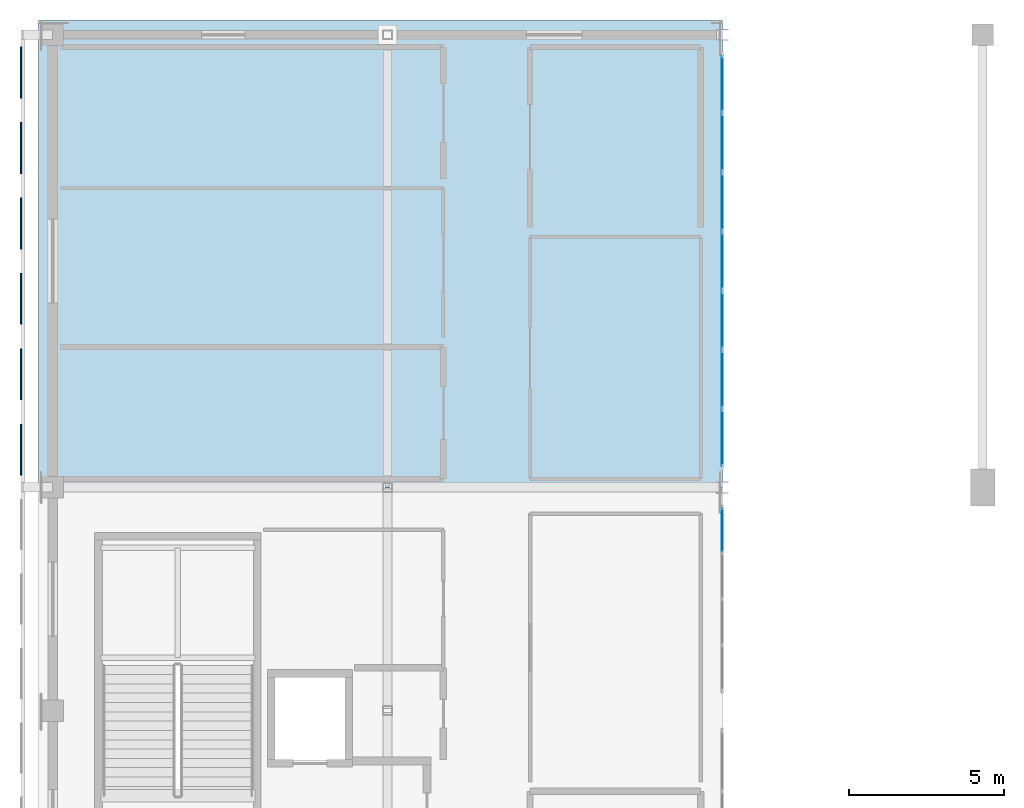
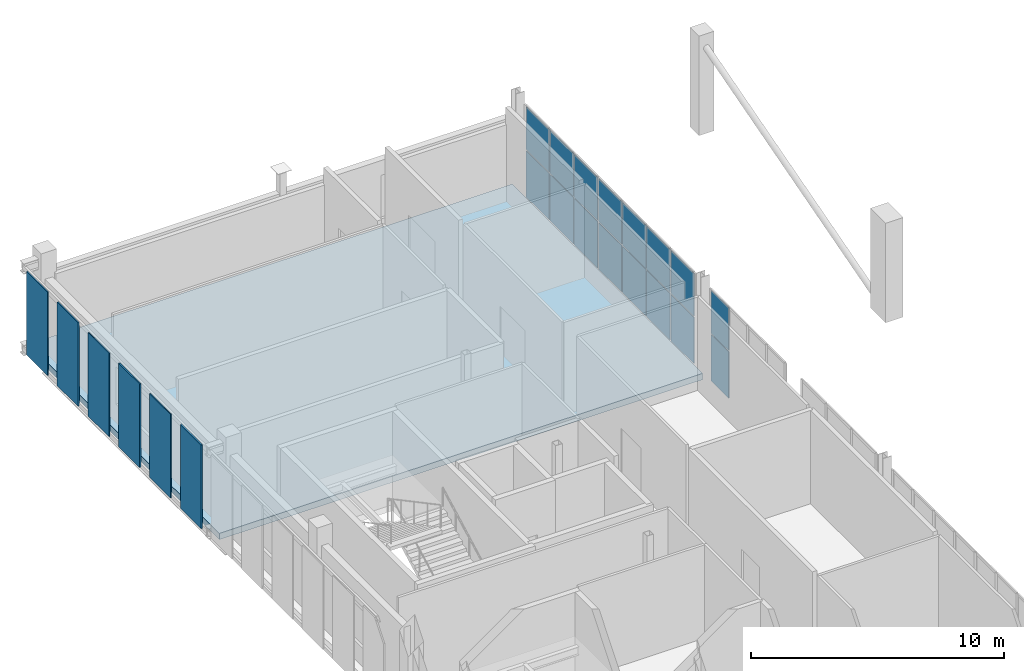
# One storey, part 27 of 51: 22 plates, 1 slab, 2 elements without a shape of their own.
"""IFC4 building model written with IfcOpenShell, lengths in metres."""

from ifc_helpers import new_model, si_unit, direction, frame, origin, origin_2d, place, context, subcontext, project, spatial, polyline, rectangle, outline, extrude, material, layer, layer_set, type_object, element, aggregate, save


model = new_model("IFC4")

# Units and contexts
model_context = context("Model", 3, precision=1e-05, world=origin(), true_north=direction((0.0, 1.0)))
body_context = subcontext(model_context, "Body", "Model", "MODEL_VIEW")
ifc_project = project(units=[si_unit("LENGTHUNIT", "METRE"), si_unit("AREAUNIT", "SQUARE_METRE"), si_unit("VOLUMEUNIT", "CUBIC_METRE"), si_unit("PLANEANGLEUNIT", "RADIAN"), si_unit("MASSUNIT", "GRAM", prefix="KILO")], contexts=[model_context])

# Site, building, storey
site_placement = place(None, origin())
site = spatial("IfcSite", under=ifc_project, at=site_placement, CompositionType="ELEMENT")
building_placement = place(site_placement, origin())
building = spatial("IfcBuilding", under=site, at=building_placement, Name="Koshinbarg Plaza Stadium", CompositionType="ELEMENT")
storey_placement = place(building_placement, frame((0.0, 0.0, 24.60009765625)))
storey = spatial("IfcBuildingStorey", under=building, at=storey_placement, Name="L05", CompositionType="ELEMENT", Elevation=24.60009765625)

# Curtain wall, plates
ifc_material_1 = material(Name="Thermally broken anodised aluminium and low-E double glazing", Category="aluminium")
curtain_wall_type_1 = type_object("IfcCurtainWallType", Name="CW-SYS-05", PredefinedType="NOTDEFINED", material=ifc_material_1)
curtain_wall_1_placement = place(storey_placement, origin())
curtain_wall_1 = element("IfcCurtainWall", 1, at=curtain_wall_1_placement, inside=storey, type_object=curtain_wall_type_1, Name="L05 unitised curtain wall CW-L05-132", PredefinedType="NOTDEFINED")
ifc_material_2 = material(Name="Solar-control low-E double glazing unit", Category="glass")
ifc_layer_1 = layer(ifc_material_2, 0.028076171875)
ifc_layer_set_1 = layer_set([ifc_layer_1], Name="Solar-control low-E double glazing unit")
plate_type_1 = type_object("IfcPlateType", Name="CW-PNL-28", PredefinedType="CURTAIN_PANEL", material=ifc_layer_set_1)
plate_1_placement = place(storey_placement, frame((46.199951171875, 110.52001953125, 0.06005859375), z_axis=(0.0, 0.0, 1.0), x_axis=(0.0, -1.0, 0.0)))
plate_1 = element("IfcPlate", 2, at=plate_1_placement, type_object=plate_type_1, Name="CW05 panel 1.1", PredefinedType="CURTAIN_PANEL", context=body_context, shape_type="SweptSolid", body=[
    extrude(rectangle(XDim=1.39990234375, YDim=0.028076171875, at=origin_2d()), origin(), (0.0, 0.0, 1.0), 2.239501953125),
])
plate_2_placement = place(storey_placement, frame((46.199951171875, 110.52001953125, 2.359375), z_axis=(0.0, 0.0, 1.0), x_axis=(0.0, -1.0, 0.0)))
plate_2 = element("IfcPlate", 3, at=plate_2_placement, type_object=plate_type_1, Name="CW05 panel 1.2", PredefinedType="CURTAIN_PANEL", context=body_context, shape_type="SweptSolid", body=[
    extrude(rectangle(XDim=1.39990234375, YDim=0.028076171875, at=origin_2d()), origin(), (0.0, 0.0, 1.0), 2.060302734375),
])
aggregate(curtain_wall_1, [plate_1, plate_2])

curtain_wall_type_2 = type_object("IfcCurtainWallType", Name="CW-SYS-04", PredefinedType="NOTDEFINED", material=ifc_material_1)
curtain_wall_2_placement = place(storey_placement, origin())
curtain_wall_2 = element("IfcCurtainWall", 4, at=curtain_wall_2_placement, inside=storey, type_object=curtain_wall_type_2, Name="L05 unitised curtain wall CW-L05-131", PredefinedType="NOTDEFINED")
ifc_material_3 = material(Name="Acoustic solar-control double glazing unit", Category="glass")
ifc_layer_2 = layer(ifc_material_3, 0.031982421875)
ifc_layer_set_2 = layer_set([ifc_layer_2], Name="Acoustic solar-control double glazing unit")
plate_type_2 = type_object("IfcPlateType", Name="CW-PNL-32", PredefinedType="CURTAIN_PANEL", material=ifc_layer_set_2)
plate_3_placement = place(storey_placement, frame((46.199951171875, 124.91064453125, 0.06005859375), z_axis=(0.0, 0.0, 1.0), x_axis=(0.0, -1.0, 0.0)))
plate_3 = element("IfcPlate", 5, at=plate_3_placement, type_object=plate_type_2, Name="CW04 panel 1.1", PredefinedType="CURTAIN_PANEL", context=body_context, shape_type="SweptSolid", body=[
    extrude(rectangle(XDim=1.818603515625, YDim=0.031982421875, at=origin_2d()), origin(), (0.0, 0.0, 1.0), 2.239501953125),
])
plate_4_placement = place(storey_placement, frame((46.199951171875, 124.91064453125, 2.359375), z_axis=(0.0, 0.0, 1.0), x_axis=(0.0, -1.0, 0.0)))
plate_4 = element("IfcPlate", 6, at=plate_4_placement, type_object=plate_type_2, Name="CW04 panel 1.2", PredefinedType="CURTAIN_PANEL", context=body_context, shape_type="SweptSolid", body=[
    extrude(rectangle(XDim=1.818603515625, YDim=0.031982421875, at=origin_2d()), origin(), (0.0, 0.0, 1.0), 2.060302734375),
])
plate_5_placement = place(storey_placement, frame((46.199951171875, 123.01708984375, 0.06005859375), z_axis=(0.0, 0.0, 1.0), x_axis=(0.0, -1.0, 0.0)))
plate_5 = element("IfcPlate", 7, at=plate_5_placement, type_object=plate_type_2, Name="CW04 panel 2.1", PredefinedType="CURTAIN_PANEL", context=body_context, shape_type="SweptSolid", body=[
    extrude(rectangle(XDim=1.8486328125, YDim=0.031982421875, at=origin_2d()), origin(), (0.0, 0.0, 1.0), 2.239501953125),
])
plate_6_placement = place(storey_placement, frame((46.199951171875, 123.01708984375, 2.359375), z_axis=(0.0, 0.0, 1.0), x_axis=(0.0, -1.0, 0.0)))
plate_6 = element("IfcPlate", 8, at=plate_6_placement, type_object=plate_type_2, Name="CW04 panel 2.2", PredefinedType="CURTAIN_PANEL", context=body_context, shape_type="SweptSolid", body=[
    extrude(rectangle(XDim=1.8486328125, YDim=0.031982421875, at=origin_2d()), origin(), (0.0, 0.0, 1.0), 2.060302734375),
])
plate_7_placement = place(storey_placement, frame((46.199951171875, 121.108642578125, 0.06005859375), z_axis=(0.0, 0.0, 1.0), x_axis=(0.0, -1.0, 0.0)))
plate_7 = element("IfcPlate", 9, at=plate_7_placement, type_object=plate_type_2, Name="CW04 panel 3.1", PredefinedType="CURTAIN_PANEL", context=body_context, shape_type="SweptSolid", body=[
    extrude(rectangle(XDim=1.8486328125, YDim=0.031982421875, at=origin_2d()), origin(), (0.0, 0.0, 1.0), 2.239501953125),
])
plate_8_placement = place(storey_placement, frame((46.199951171875, 121.108642578125, 2.359375), z_axis=(0.0, 0.0, 1.0), x_axis=(0.0, -1.0, 0.0)))
plate_8 = element("IfcPlate", 10, at=plate_8_placement, type_object=plate_type_2, Name="CW04 panel 3.2", PredefinedType="CURTAIN_PANEL", context=body_context, shape_type="SweptSolid", body=[
    extrude(rectangle(XDim=1.8486328125, YDim=0.031982421875, at=origin_2d()), origin(), (0.0, 0.0, 1.0), 2.060302734375),
])
plate_9_placement = place(storey_placement, frame((46.199951171875, 119.199951171875, 0.06005859375), z_axis=(0.0, 0.0, 1.0), x_axis=(0.0, -1.0, 0.0)))
plate_9 = element("IfcPlate", 11, at=plate_9_placement, type_object=plate_type_2, Name="CW04 panel 4.1", PredefinedType="CURTAIN_PANEL", context=body_context, shape_type="SweptSolid", body=[
    extrude(rectangle(XDim=1.8486328125, YDim=0.031982421875, at=origin_2d()), origin(), (0.0, 0.0, 1.0), 2.239501953125),
])
plate_10_placement = place(storey_placement, frame((46.199951171875, 119.199951171875, 2.359375), z_axis=(0.0, 0.0, 1.0), x_axis=(0.0, -1.0, 0.0)))
plate_10 = element("IfcPlate", 12, at=plate_10_placement, type_object=plate_type_2, Name="CW04 panel 4.2", PredefinedType="CURTAIN_PANEL", context=body_context, shape_type="SweptSolid", body=[
    extrude(rectangle(XDim=1.8486328125, YDim=0.031982421875, at=origin_2d()), origin(), (0.0, 0.0, 1.0), 2.060302734375),
])
plate_11_placement = place(storey_placement, frame((46.199951171875, 117.29150390625, 0.06005859375), z_axis=(0.0, 0.0, 1.0), x_axis=(0.0, -1.0, 0.0)))
plate_11 = element("IfcPlate", 13, at=plate_11_placement, type_object=plate_type_2, Name="CW04 panel 5.1", PredefinedType="CURTAIN_PANEL", context=body_context, shape_type="SweptSolid", body=[
    extrude(rectangle(XDim=1.8486328125, YDim=0.031982421875, at=origin_2d()), origin(), (0.0, 0.0, 1.0), 2.239501953125),
])
plate_12_placement = place(storey_placement, frame((46.199951171875, 117.29150390625, 2.359375), z_axis=(0.0, 0.0, 1.0), x_axis=(0.0, -1.0, 0.0)))
plate_12 = element("IfcPlate", 14, at=plate_12_placement, type_object=plate_type_2, Name="CW04 panel 5.2", PredefinedType="CURTAIN_PANEL", context=body_context, shape_type="SweptSolid", body=[
    extrude(rectangle(XDim=1.8486328125, YDim=0.031982421875, at=origin_2d()), origin(), (0.0, 0.0, 1.0), 2.060302734375),
])
plate_13_placement = place(storey_placement, frame((46.199951171875, 115.3828125, 0.06005859375), z_axis=(0.0, 0.0, 1.0), x_axis=(0.0, -1.0, 0.0)))
plate_13 = element("IfcPlate", 15, at=plate_13_placement, type_object=plate_type_2, Name="CW04 panel 6.1", PredefinedType="CURTAIN_PANEL", context=body_context, shape_type="SweptSolid", body=[
    extrude(rectangle(XDim=1.8486328125, YDim=0.031982421875, at=origin_2d()), origin(), (0.0, 0.0, 1.0), 2.239501953125),
])
plate_14_placement = place(storey_placement, frame((46.199951171875, 115.3828125, 2.359375), z_axis=(0.0, 0.0, 1.0), x_axis=(0.0, -1.0, 0.0)))
plate_14 = element("IfcPlate", 16, at=plate_14_placement, type_object=plate_type_2, Name="CW04 panel 6.2", PredefinedType="CURTAIN_PANEL", context=body_context, shape_type="SweptSolid", body=[
    extrude(rectangle(XDim=1.8486328125, YDim=0.031982421875, at=origin_2d()), origin(), (0.0, 0.0, 1.0), 2.060302734375),
])
plate_15_placement = place(storey_placement, frame((46.199951171875, 113.4892578125, 0.06005859375), z_axis=(0.0, 0.0, 1.0), x_axis=(0.0, -1.0, 0.0)))
plate_15 = element("IfcPlate", 17, at=plate_15_placement, type_object=plate_type_2, Name="CW04 panel 7.1", PredefinedType="CURTAIN_PANEL", context=body_context, shape_type="SweptSolid", body=[
    extrude(rectangle(XDim=1.818603515625, YDim=0.031982421875, at=origin_2d()), origin(), (0.0, 0.0, 1.0), 2.239501953125),
])
plate_16_placement = place(storey_placement, frame((46.199951171875, 113.4892578125, 2.359375), z_axis=(0.0, 0.0, 1.0), x_axis=(0.0, -1.0, 0.0)))
plate_16 = element("IfcPlate", 18, at=plate_16_placement, type_object=plate_type_2, Name="CW04 panel 7.2", PredefinedType="CURTAIN_PANEL", context=body_context, shape_type="SweptSolid", body=[
    extrude(rectangle(XDim=1.818603515625, YDim=0.031982421875, at=origin_2d()), origin(), (0.0, 0.0, 1.0), 2.060302734375),
])
aggregate(curtain_wall_2, [plate_3, plate_4, plate_5, plate_6, plate_7, plate_8, plate_9, plate_10, plate_11, plate_12, plate_13, plate_14, plate_15, plate_16])

# Plates
ifc_material_4 = material(Name="Off-white mineral-coated perforated aluminium screen panel", Category="aluminium")
ifc_layer_3 = layer(ifc_material_4, 0.050048828125)
ifc_layer_set_3 = layer_set([ifc_layer_3], Name="Off-white mineral-coated perforated aluminium screen panel")
plate_type_3 = type_object("IfcPlateType", Name="PLT-SCR-50", PredefinedType="USERDEFINED", material=ifc_layer_set_3)
for number, where, z_axis, x_axis, name in (
    (19, (23.580078125, 115.550048828125, 0.19970703125), (0.0, 0.0, 1.0), (1.0, 0.0, 0.0), "L05 off-white leaf-pierced outer screen panel 122"),
    (20, (23.580078125, 120.416748046875, 0.19970703125), (0.0, 0.0, 1.0), (1.0, 0.0, 0.0), "L05 off-white leaf-pierced outer screen panel 124"),
    (21, (23.580078125, 125.283203125, 0.19970703125), (0.0, 0.0, 1.0), (1.0, 0.0, 0.0), "L05 off-white leaf-pierced outer screen panel 126"),
):
    element("IfcPlate", number, at=place(storey_placement, frame(where, z_axis=z_axis, x_axis=x_axis)), inside=storey, type_object=plate_type_3, Name=name, ObjectType="SCREEN PANEL", PredefinedType="USERDEFINED", context=body_context, shape_type="SweptSolid", body=[
        extrude(rectangle(XDim=0.050048828125, YDim=1.65478515625, at=origin_2d()), origin(), (0.0, 0.0, 1.0), 4.030029296875),
    ])
ifc_material_5 = material(Name="Off-white mineral-coated leaf-aperture GRC screen panel")
ifc_layer_4 = layer(ifc_material_5, 0.06005859375)
ifc_layer_set_4 = layer_set([ifc_layer_4], Name="Off-white mineral-coated leaf-aperture GRC screen panel")
plate_type_4 = type_object("IfcPlateType", Name="PLT-SCR-60", PredefinedType="USERDEFINED", material=ifc_layer_set_4)
for number, where, z_axis, x_axis, name in (
    (22, (23.574951171875, 113.11669921875, 0.19970703125), (0.0, 0.0, 1.0), (1.0, 0.0, 0.0), "L05 off-white leaf-pierced outer screen panel 121"),
    (23, (23.574951171875, 117.9833984375, 0.19970703125), (0.0, 0.0, 1.0), (1.0, 0.0, 0.0), "L05 off-white leaf-pierced outer screen panel 123"),
    (24, (23.574951171875, 122.85009765625, 0.19970703125), (0.0, 0.0, 1.0), (1.0, 0.0, 0.0), "L05 off-white leaf-pierced outer screen panel 125"),
):
    element("IfcPlate", number, at=place(storey_placement, frame(where, z_axis=z_axis, x_axis=x_axis)), inside=storey, type_object=plate_type_4, Name=name, ObjectType="SCREEN PANEL", PredefinedType="USERDEFINED", context=body_context, shape_type="SweptSolid", body=[
        extrude(rectangle(XDim=0.06005859375, YDim=1.65478515625, at=origin_2d()), origin(), (0.0, 0.0, 1.0), 4.030029296875),
    ])

# Slab
ifc_material_6 = material(Name="Concrete C35/45", Category="concrete")
ifc_layer_5 = layer(ifc_material_6, 0.300048828125)
ifc_layer_set_5 = layer_set([ifc_layer_5], Name="Concrete C35/45")
slab_type = type_object("IfcSlabType", Name="SL-FLR-300", PredefinedType="FLOOR", material=ifc_layer_set_5)
slab_placement = place(storey_placement, frame((0.0, 0.0, -0.300048828125)))
element("IfcSlab", 25, at=slab_placement, inside=storey, type_object=slab_type, Name="L05 V1 structural slab 4", PredefinedType="FLOOR", context=body_context, shape_type="SweptSolid", body=[
    extrude(outline(polyline([(24.14501953125, 111.89990234375), (46.199951171875, 111.89990234375), (46.199951171875, 126.955078125), (24.14501953125, 126.955078125), (24.14501953125, 111.89990234375)])), origin(), (0.0, 0.0, 1.0), 0.300048828125),
])

save(model, "model.ifc")
